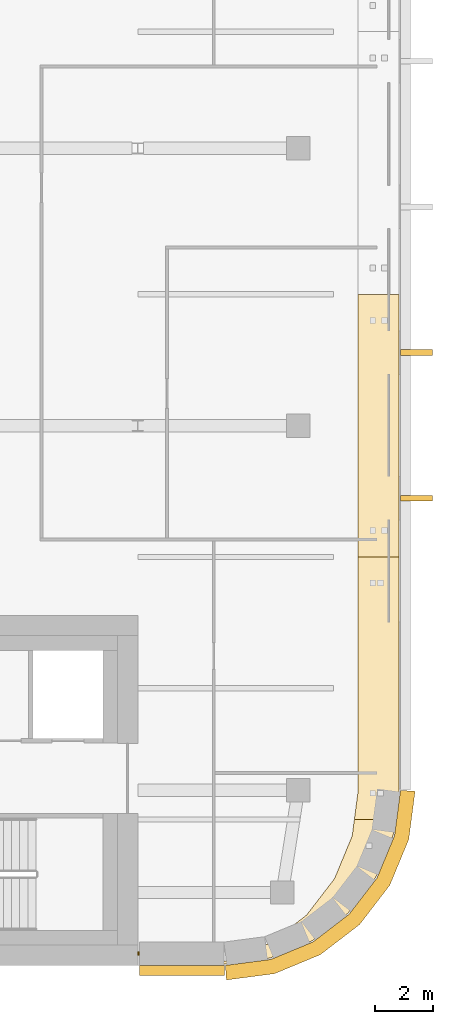
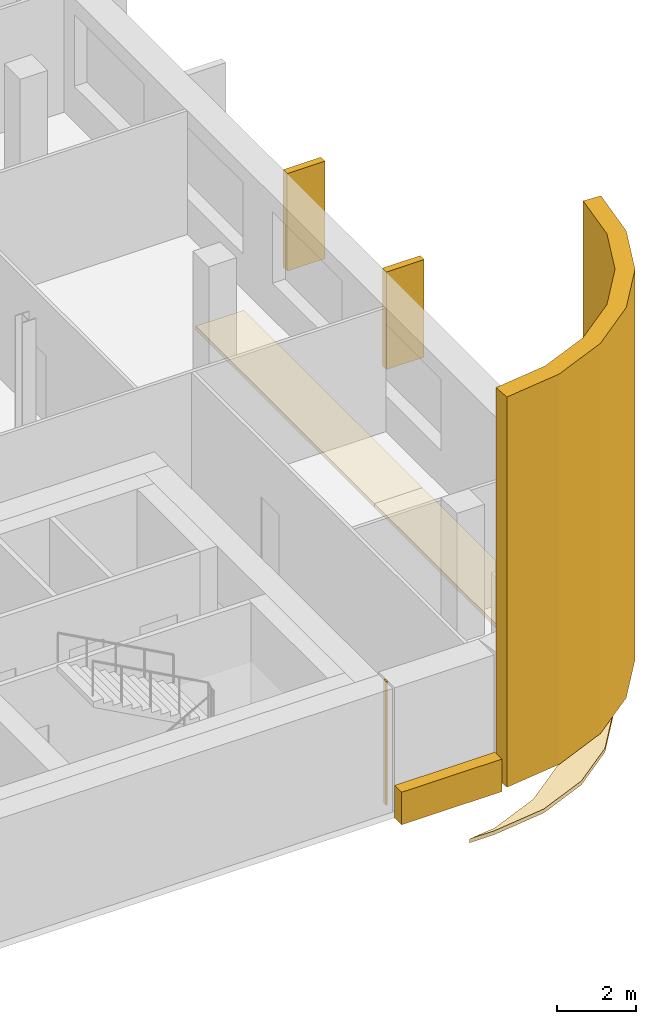
# One storey, part 18 of 19: 8 coverings.
"""IFC4 building model written with IfcOpenShell, lengths in metres."""

from ifc_helpers import new_model, si_unit, direction, frame, origin, origin_2d, place, context, subcontext, project, spatial, polyline, rectangle, outline, extrude, material, layer, layer_set, type_object, element, save


model = new_model("IFC4")

# Units and contexts
model_context = context("Model", 3, precision=1e-05, world=origin(), true_north=direction((0.0, 1.0)))
body_context = subcontext(model_context, "Body", "Model", "MODEL_VIEW")
ifc_project = project(units=[si_unit("LENGTHUNIT", "METRE"), si_unit("AREAUNIT", "SQUARE_METRE"), si_unit("VOLUMEUNIT", "CUBIC_METRE"), si_unit("PLANEANGLEUNIT", "RADIAN"), si_unit("MASSUNIT", "GRAM", prefix="KILO")], contexts=[model_context])

# Site, building, storey
site_placement = place(None, origin())
site = spatial("IfcSite", under=ifc_project, at=site_placement, CompositionType="ELEMENT")
building_placement = place(site_placement, origin())
building = spatial("IfcBuilding", under=site, at=building_placement, Name="Zellij Exchange Tower", CompositionType="ELEMENT")
storey_placement = place(building_placement, frame((0.0, 0.0, 220.5)))
storey = spatial("IfcBuildingStorey", under=building, at=storey_placement, Name="L51", CompositionType="ELEMENT", Elevation=220.5)

# Coverings
ifc_material_1 = material(Name="Limestone cladding", Category="masonry")
ifc_layer_1 = layer(ifc_material_1, 0.35009765625)
ifc_layer_set_1 = layer_set([ifc_layer_1], Name="Limestone cladding")
covering_type_1 = type_object("IfcCoveringType", Name="ENV-CV10 Stone spandrel band 350", PredefinedType="CLADDING", material=ifc_layer_set_1)
covering_1_placement = place(storey_placement, frame((0.0, 0.0, -0.199951171875)))
element("IfcCovering", 1, at=covering_1_placement, inside=storey, type_object=covering_type_1, Name="Stone spandrel band", PredefinedType="CLADDING", context=body_context, shape_type="SweptSolid", body=[
    extrude(outline(polyline([(27.050048828125, -14.0), (29.973876953125, -14.0), (29.973876953125, -14.35009765625), (27.050048828125, -14.35009765625), (27.050048828125, -14.0)])), origin(), (0.0, 0.0, 1.0), 1.0),
])
ifc_layer_2 = layer(ifc_material_1, 0.5)
ifc_layer_set_2 = layer_set([ifc_layer_2], Name="Limestone cladding")
covering_type_2 = type_object("IfcCoveringType", Name="ENV-CV12 Stone corner pier 500", PredefinedType="CLADDING", material=ifc_layer_set_2)
covering_2_placement = place(storey_placement, origin())
element("IfcCovering", 2, at=covering_2_placement, inside=storey, type_object=covering_type_2, Name="Stone corner pier", PredefinedType="CLADDING", context=body_context, shape_type="SweptSolid", body=[
    extrude(outline(polyline([(30.0, -14.0), (31.552978515625, -13.795654296875), (33.0, -13.1962890625), (34.24267578125, -12.24267578125), (35.1962890625, -11.0), (35.795654296875, -9.552978515625), (36.0, -8.0), (36.5, -8.03271484375), (36.28271484375, -9.683349609375), (35.6328125, -11.252197265625), (34.59912109375, -12.59912109375), (33.252197265625, -13.6328125), (31.683349609375, -14.28271484375), (30.03271484375, -14.5), (30.0, -14.0)])), origin(), (0.0, 0.0, 1.0), 12.0),
])
ifc_layer_3 = layer(ifc_material_1, 0.1201171875)
ifc_layer_set_3 = layer_set([ifc_layer_3], Name="Limestone cladding")
covering_type_3 = type_object("IfcCoveringType", Name="ENV-CV18 Glazing closer 120", PredefinedType="CLADDING", material=ifc_layer_set_3)
covering_3_placement = place(storey_placement, frame((27.02490234375, -13.60009765625, 0.0), z_axis=(0.0, 0.0, 1.0), x_axis=(-1.0, 0.0, 0.0)))
element("IfcCovering", 3, at=covering_3_placement, inside=storey, type_object=covering_type_3, Name="Glazing closer", PredefinedType="CLADDING", context=body_context, shape_type="SweptSolid", body=[
    extrude(rectangle(XDim=0.050048828125, YDim=0.1201171875, at=origin_2d()), origin(), (0.0, 0.0, 1.0), 3.800048828125),
])
covering_type_4 = type_object("IfcCoveringType", Name="ENV-CV6 Stone pier 200x1100", PredefinedType="CLADDING", material=ifc_material_1)
covering_4_placement = place(storey_placement, frame((0.0, 0.0, 0.800048828125)))
element("IfcCovering", 4, at=covering_4_placement, inside=storey, type_object=covering_type_4, Name="Stone pier", PredefinedType="CLADDING", context=body_context, shape_type="SweptSolid", body=[
    extrude(outline(polyline([(36.0, 1.9111328125), (36.0, 2.111083984375), (37.10009765625, 2.111083984375), (37.10009765625, 1.9111328125), (36.0, 1.9111328125)])), origin(), (0.0, 0.0, 1.0), 3.0),
])
covering_5_placement = place(storey_placement, frame((0.0, 0.0, 0.800048828125)))
element("IfcCovering", 5, at=covering_5_placement, inside=storey, type_object=covering_type_4, Name="Stone pier", PredefinedType="CLADDING", context=body_context, shape_type="SweptSolid", body=[
    extrude(outline(polyline([(36.0, 6.90380859375), (36.0, 7.103759765625), (37.10009765625, 7.103759765625), (37.10009765625, 6.90380859375), (36.0, 6.90380859375)])), origin(), (0.0, 0.0, 1.0), 3.0),
])
ifc_material_2 = material(Name="Limestone screen", Category="masonry")
ifc_layer_4 = layer(ifc_material_2, 0.1201171875)
ifc_layer_set_4 = layer_set([ifc_layer_4], Name="Limestone screen")
covering_type_5 = type_object("IfcCoveringType", Name="ENV-SC1 Pierced stone screen 120", PredefinedType="USERDEFINED", material=ifc_layer_set_4)
covering_6_placement = place(storey_placement, frame((0.0, 0.0, -1.77001953125)))
element("IfcCovering", 6, at=covering_6_placement, inside=storey, type_object=covering_type_5, Name="Pierced stone screen", ObjectType="SCREEN", PredefinedType="USERDEFINED", context=body_context, shape_type="SweptSolid", body=[
    extrude(outline(polyline([(35.746826171875, -9.539794921875), (35.152587890625, -10.974853515625), (34.20703125, -12.20703125), (32.974853515625, -13.152587890625), (31.539794921875, -13.746826171875), (29.99658203125, -13.949951171875), (29.262939453125, -13.949951171875), (30.059326171875, -13.84521484375), (30.063720703125, -13.844482421875), (30.06787109375, -13.84326171875), (30.072021484375, -13.841796875), (31.51904296875, -13.2421875), (31.523193359375, -13.240478515625), (31.52685546875, -13.23828125), (31.530517578125, -13.23583984375), (32.773193359375, -12.2822265625), (32.7763671875, -12.279541015625), (32.779541015625, -12.2763671875), (32.7822265625, -12.273193359375), (33.73583984375, -11.030517578125), (33.73828125, -11.02685546875), (33.740478515625, -11.023193359375), (33.7421875, -11.01904296875), (34.341796875, -9.572021484375), (34.34326171875, -9.56787109375), (34.344482421875, -9.563720703125), (34.34521484375, -9.559326171875), (34.418701171875, -9.0), (35.81787109375, -9.0), (35.746826171875, -9.539794921875)])), origin(), (0.0, 0.0, 1.0), 0.1201171875),
])
covering_7_placement = place(storey_placement, frame((0.0, 0.0, -1.77001953125)))
element("IfcCovering", 7, at=covering_7_placement, inside=storey, type_object=covering_type_5, Name="Pierced stone screen", ObjectType="SCREEN", PredefinedType="USERDEFINED", context=body_context, shape_type="SweptSolid", body=[
    extrude(outline(polyline([(35.949951171875, -7.99658203125), (35.81787109375, -9.0), (34.418701171875, -9.0), (34.549560546875, -8.006591796875), (34.550048828125, -8.0), (34.550048828125, 0.0), (35.949951171875, 0.0), (35.949951171875, -7.99658203125)])), origin(), (0.0, 0.0, 1.0), 0.1201171875),
])
covering_8_placement = place(storey_placement, frame((0.0, 0.0, -1.77001953125)))
element("IfcCovering", 8, at=covering_8_placement, inside=storey, type_object=covering_type_5, Name="Pierced stone screen", ObjectType="SCREEN", PredefinedType="USERDEFINED", context=body_context, shape_type="SweptSolid", body=[
    extrude(outline(polyline([(35.949951171875, 0.0), (34.550048828125, 0.0), (34.550048828125, 9.0), (35.949951171875, 9.0), (35.949951171875, 0.0)])), origin(), (0.0, 0.0, 1.0), 0.1201171875),
])

save(model, "model.ifc")
